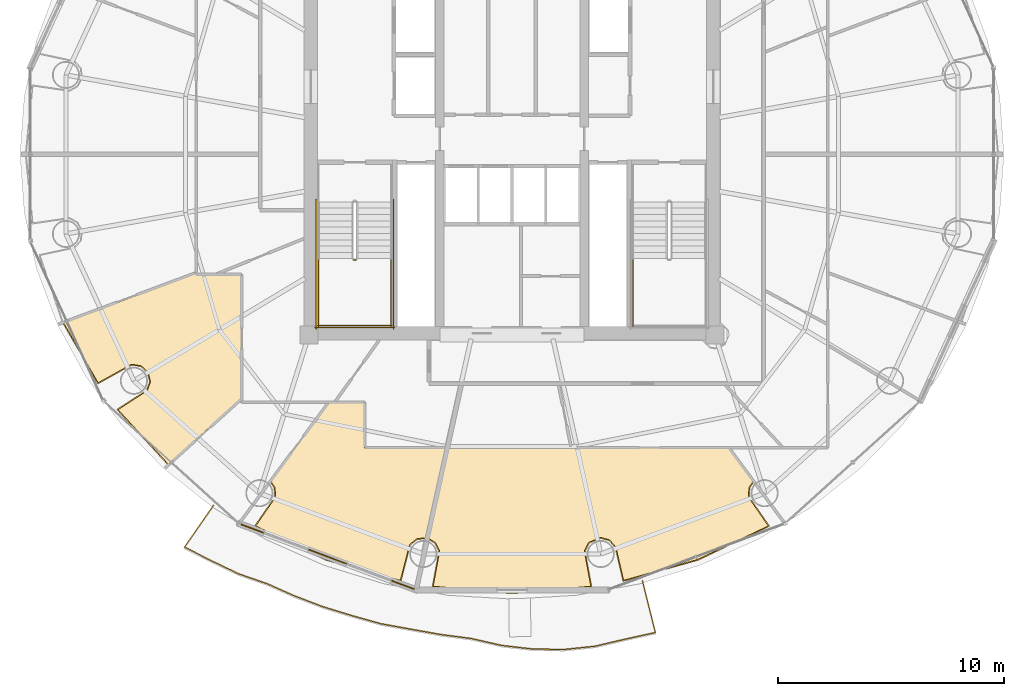
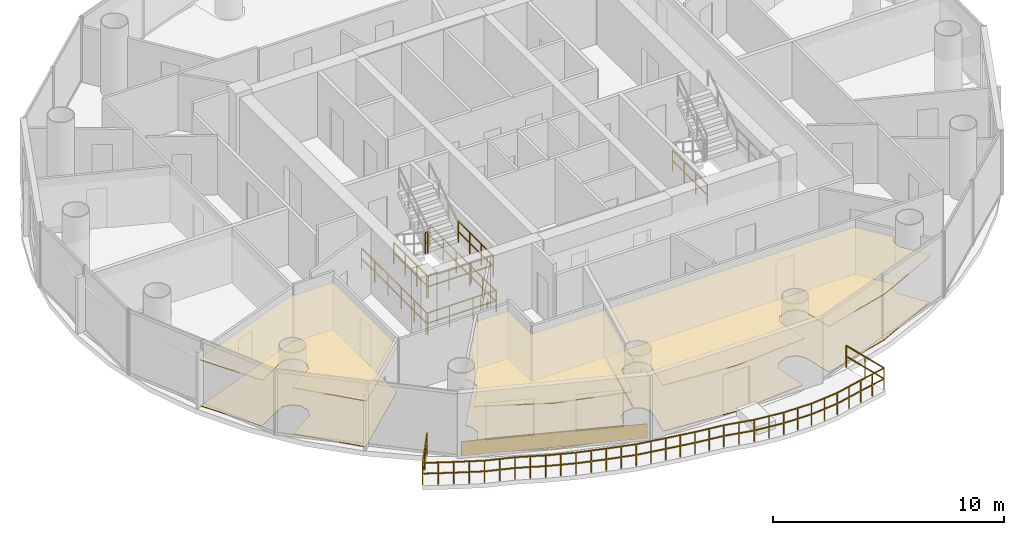
# One storey, part 24 of 26: 9 railings, 7 coverings.
"""IFC4 building model written with IfcOpenShell, lengths in metres."""

from ifc_helpers import new_model, si_unit, direction, frame, origin, origin_2d, place, context, subcontext, project, spatial, polyline, rectangle, outline, extrude, source, transform, mapped, material, layer, layer_set, type_object, element, save


model = new_model("IFC4")

# Units and contexts
model_context = context("Model", 3, precision=1e-05, world=origin(), true_north=direction((-0.2419218956, 0.970295726276)))
body_context = subcontext(model_context, "Body", "Model", "MODEL_VIEW")
ifc_project = project(units=[si_unit("LENGTHUNIT", "METRE"), si_unit("AREAUNIT", "SQUARE_METRE"), si_unit("VOLUMEUNIT", "CUBIC_METRE"), si_unit("PLANEANGLEUNIT", "RADIAN"), si_unit("MASSUNIT", "GRAM", prefix="KILO")], contexts=[model_context])

# Site, building, storey
site_placement = place(None, origin())
site = spatial("IfcSite", under=ifc_project, at=site_placement, CompositionType="ELEMENT")
building_placement = place(site_placement, origin())
building = spatial("IfcBuilding", under=site, at=building_placement, Name="Cobrevalo Terracotta Tower", CompositionType="ELEMENT")
storey_placement = place(building_placement, frame((0.0, 0.0, 217.10009765625)))
storey = spatial("IfcBuildingStorey", under=building, at=storey_placement, Name="L57", CompositionType="ELEMENT", Elevation=217.10009765625)

# Railing
ifc_material_1 = material(Name="Laminated structural glass and stainless steel", Category="steel")
railing_type_1 = type_object("IfcRailingType", Name="Balcony lobe structural glass & terracotta-cap balustrade 1180 mm", PredefinedType="BALUSTRADE", material=ifc_material_1)
railing_1_placement = place(storey_placement, frame((24.77294921875, 11.2509765625, 0.0)))
element("IfcRailing", 1, at=railing_1_placement, inside=storey, type_object=railing_type_1, Name="L57 spiralling balcony lobe balustrade 2", PredefinedType="BALUSTRADE", context=body_context, shape_type="SweptSolid", body=[
    extrude(rectangle(XDim=0.048095703125, YDim=0.048095703125, at=origin_2d()), frame((0.0, 0.0, 1.15576171875), z_axis=(-0.57077551687, -0.821106149862, 0.0), x_axis=(0.821106149862, -0.57077551687, 0.0)), (0.0, 0.0, 1.0), 2.2529296875),
    extrude(rectangle(XDim=0.048095703125, YDim=0.048095703125, at=origin_2d()), frame((0.0, 0.0, 0.58984375), z_axis=(-0.57077551687, -0.821106149862, 0.0), x_axis=(0.821106149862, -0.57077551687, 0.0)), (0.0, 0.0, 1.0), 2.2529296875),
    extrude(rectangle(XDim=0.048095703125, YDim=0.048095703125, at=origin_2d()), frame((-1.285888671875, -1.849853515625, 1.15576171875), z_axis=(0.891841006334, -0.452349001791, 0.0), x_axis=(0.452349001791, 0.891841006334, 0.0)), (0.0, 0.0, 1.0), 1.34814453125),
    extrude(rectangle(XDim=0.048095703125, YDim=0.048095703125, at=origin_2d()), frame((-1.285888671875, -1.849853515625, 0.58984375), z_axis=(0.891841006334, -0.452349001791, 0.0), x_axis=(0.452349001791, 0.891841006334, 0.0)), (0.0, 0.0, 1.0), 1.34814453125),
    extrude(rectangle(XDim=0.048095703125, YDim=0.048095703125, at=origin_2d()), frame((-0.08349609375, -2.459716796875, 1.15576171875), z_axis=(0.901505960091, -0.432766685318, 0.0), x_axis=(0.432766685318, 0.901505960091, 0.0)), (0.0, 0.0, 1.0), 1.3369140625),
    extrude(rectangle(XDim=0.048095703125, YDim=0.048095703125, at=origin_2d()), frame((-0.08349609375, -2.459716796875, 0.58984375), z_axis=(0.901505960091, -0.432766685318, 0.0), x_axis=(0.432766685318, 0.901505960091, 0.0)), (0.0, 0.0, 1.0), 1.3369140625),
    extrude(rectangle(XDim=0.048095703125, YDim=0.048095703125, at=origin_2d()), frame((1.121826171875, -3.038330078125, 1.15576171875), z_axis=(0.944932080508, -0.32726650184, 0.0), x_axis=(0.32726650184, 0.944932080508, 0.0)), (0.0, 0.0, 1.0), 1.34423828125),
    extrude(rectangle(XDim=0.048095703125, YDim=0.048095703125, at=origin_2d()), frame((1.121826171875, -3.038330078125, 0.58984375), z_axis=(0.944932080508, -0.32726650184, 0.0), x_axis=(0.32726650184, 0.944932080508, 0.0)), (0.0, 0.0, 1.0), 1.34423828125),
    extrude(rectangle(XDim=0.048095703125, YDim=0.048095703125, at=origin_2d()), frame((2.39208984375, -3.478271484375, 1.15576171875), z_axis=(0.913607419613, -0.406597445672, 0.0), x_axis=(0.406597445672, 0.913607419613, 0.0)), (0.0, 0.0, 1.0), 1.332275390625),
    extrude(rectangle(XDim=0.048095703125, YDim=0.048095703125, at=origin_2d()), frame((2.39208984375, -3.478271484375, 0.58984375), z_axis=(0.913607419613, -0.406597445672, 0.0), x_axis=(0.406597445672, 0.913607419613, 0.0)), (0.0, 0.0, 1.0), 1.332275390625),
    extrude(rectangle(XDim=0.048095703125, YDim=0.048095703125, at=origin_2d()), frame((3.609375, -4.02001953125, 1.15576171875), z_axis=(0.934930550332, -0.354830756918, 0.0), x_axis=(0.354830756918, 0.934930550332, 0.0)), (0.0, 0.0, 1.0), 1.334228515625),
    extrude(rectangle(XDim=0.048095703125, YDim=0.048095703125, at=origin_2d()), frame((3.609375, -4.02001953125, 0.58984375), z_axis=(0.934930550332, -0.354830756918, 0.0), x_axis=(0.354830756918, 0.934930550332, 0.0)), (0.0, 0.0, 1.0), 1.334228515625),
    extrude(rectangle(XDim=0.048095703125, YDim=0.048095703125, at=origin_2d()), frame((4.856689453125, -4.493408203125, 1.15576171875), z_axis=(0.955896967388, -0.293702209283, 0.0), x_axis=(0.293702209283, 0.955896967388, 0.0)), (0.0, 0.0, 1.0), 1.341552734375),
    extrude(rectangle(XDim=0.048095703125, YDim=0.048095703125, at=origin_2d()), frame((4.856689453125, -4.493408203125, 0.58984375), z_axis=(0.955896967388, -0.293702209283, 0.0), x_axis=(0.293702209283, 0.955896967388, 0.0)), (0.0, 0.0, 1.0), 1.341552734375),
    extrude(rectangle(XDim=0.048095703125, YDim=0.048095703125, at=origin_2d()), frame((6.13916015625, -4.887451171875, 1.15576171875), z_axis=(0.963067940608, -0.269258503622, 0.0), x_axis=(0.269258503622, 0.963067940608, 0.0)), (0.0, 0.0, 1.0), 1.341064453125),
    extrude(rectangle(XDim=0.048095703125, YDim=0.048095703125, at=origin_2d()), frame((6.13916015625, -4.887451171875, 0.58984375), z_axis=(0.963067940608, -0.269258503622, 0.0), x_axis=(0.269258503622, 0.963067940608, 0.0)), (0.0, 0.0, 1.0), 1.341064453125),
    extrude(rectangle(XDim=0.048095703125, YDim=0.048095703125, at=origin_2d()), frame((7.4306640625, -5.24853515625, 1.15576171875), z_axis=(0.983985636985, -0.178247766346, 0.0), x_axis=(0.178247766346, 0.983985636985, 0.0)), (0.0, 0.0, 1.0), 1.34765625),
    extrude(rectangle(XDim=0.048095703125, YDim=0.048095703125, at=origin_2d()), frame((7.4306640625, -5.24853515625, 0.58984375), z_axis=(0.983985636985, -0.178247766346, 0.0), x_axis=(0.178247766346, 0.983985636985, 0.0)), (0.0, 0.0, 1.0), 1.34765625),
    extrude(rectangle(XDim=0.048095703125, YDim=0.048095703125, at=origin_2d()), frame((8.7568359375, -5.48876953125, 1.15576171875), z_axis=(0.984600641442, -0.174818697147, 0.0), x_axis=(0.174818697147, 0.984600641442, 0.0)), (0.0, 0.0, 1.0), 1.34765625),
    extrude(rectangle(XDim=0.048095703125, YDim=0.048095703125, at=origin_2d()), frame((8.7568359375, -5.48876953125, 0.58984375), z_axis=(0.984600641442, -0.174818697147, 0.0), x_axis=(0.174818697147, 0.984600641442, 0.0)), (0.0, 0.0, 1.0), 1.34765625),
    extrude(rectangle(XDim=0.048095703125, YDim=0.048095703125, at=origin_2d()), frame((10.083740234375, -5.724365234375, 1.15576171875), z_axis=(0.991544969389, -0.129763529849, 0.0), x_axis=(0.129763529849, 0.991544969389, 0.0)), (0.0, 0.0, 1.0), 1.352783203125),
    extrude(rectangle(XDim=0.048095703125, YDim=0.048095703125, at=origin_2d()), frame((10.083740234375, -5.724365234375, 0.58984375), z_axis=(0.991544969389, -0.129763529849, 0.0), x_axis=(0.129763529849, 0.991544969389, 0.0)), (0.0, 0.0, 1.0), 1.352783203125),
    extrude(rectangle(XDim=0.048095703125, YDim=0.048095703125, at=origin_2d()), frame((11.425048828125, -5.89990234375, 1.15576171875), z_axis=(0.975014859244, -0.222139650342, 0.0), x_axis=(0.222139650342, 0.975014859244, 0.0)), (0.0, 0.0, 1.0), 1.3837890625),
    extrude(rectangle(XDim=0.048095703125, YDim=0.048095703125, at=origin_2d()), frame((11.425048828125, -5.89990234375, 0.58984375), z_axis=(0.975014859244, -0.222139650342, 0.0), x_axis=(0.222139650342, 0.975014859244, 0.0)), (0.0, 0.0, 1.0), 1.3837890625),
    extrude(rectangle(XDim=0.048095703125, YDim=0.048095703125, at=origin_2d()), frame((12.774169921875, -6.207275390625, 1.15576171875), z_axis=(0.993451469807, -0.114254877959, 0.0), x_axis=(0.114254877959, 0.993451469807, 0.0)), (0.0, 0.0, 1.0), 1.38037109375),
    extrude(rectangle(XDim=0.048095703125, YDim=0.048095703125, at=origin_2d()), frame((12.774169921875, -6.207275390625, 0.58984375), z_axis=(0.993451469807, -0.114254877959, 0.0), x_axis=(0.114254877959, 0.993451469807, 0.0)), (0.0, 0.0, 1.0), 1.38037109375),
    extrude(rectangle(XDim=0.048095703125, YDim=0.048095703125, at=origin_2d()), frame((14.1455078125, -6.364990234375, 1.15576171875), z_axis=(0.99987945467, -0.015526626436, 0.0), x_axis=(0.015526626436, 0.99987945467, 0.0)), (0.0, 0.0, 1.0), 1.3837890625),
    extrude(rectangle(XDim=0.048095703125, YDim=0.048095703125, at=origin_2d()), frame((14.1455078125, -6.364990234375, 0.58984375), z_axis=(0.99987945467, -0.015526626436, 0.0), x_axis=(0.015526626436, 0.99987945467, 0.0)), (0.0, 0.0, 1.0), 1.3837890625),
    extrude(rectangle(XDim=0.048095703125, YDim=0.048095703125, at=origin_2d()), frame((15.529052734375, -6.386474609375, 1.15576171875), z_axis=(0.994512240733, 0.104620280219, 0.0), x_axis=(-0.104620280219, 0.994512240733, 0.0)), (0.0, 0.0, 1.0), 1.379150390625),
    extrude(rectangle(XDim=0.048095703125, YDim=0.048095703125, at=origin_2d()), frame((15.529052734375, -6.386474609375, 0.58984375), z_axis=(0.994512240733, 0.104620280219, 0.0), x_axis=(-0.104620280219, 0.994512240733, 0.0)), (0.0, 0.0, 1.0), 1.379150390625),
    extrude(rectangle(XDim=0.048095703125, YDim=0.048095703125, at=origin_2d()), frame((16.900634765625, -6.2421875, 1.15576171875), z_axis=(0.973537658475, 0.228526645122, 0.0), x_axis=(-0.228526645122, 0.973537658475, 0.0)), (0.0, 0.0, 1.0), 1.38037109375),
    extrude(rectangle(XDim=0.048095703125, YDim=0.048095703125, at=origin_2d()), frame((16.900634765625, -6.2421875, 0.58984375), z_axis=(0.973537658475, 0.228526645122, 0.0), x_axis=(-0.228526645122, 0.973537658475, 0.0)), (0.0, 0.0, 1.0), 1.38037109375),
    extrude(rectangle(XDim=0.048095703125, YDim=0.048095703125, at=origin_2d()), frame((18.244384765625, -5.9267578125, 1.15576171875), z_axis=(0.976847781317, 0.213935532664, 0.0), x_axis=(-0.213935532664, 0.976847781317, 0.0)), (0.0, 0.0, 1.0), 1.372802734375),
    extrude(rectangle(XDim=0.048095703125, YDim=0.048095703125, at=origin_2d()), frame((18.244384765625, -5.9267578125, 0.58984375), z_axis=(0.976847781317, 0.213935532664, 0.0), x_axis=(-0.213935532664, 0.976847781317, 0.0)), (0.0, 0.0, 1.0), 1.372802734375),
    extrude(rectangle(XDim=0.048095703125, YDim=0.048095703125, at=origin_2d()), frame((19.58544921875, -5.633056640625, 1.15576171875), z_axis=(-0.242803147392, 0.970075580363, 0.0), x_axis=(-0.970075580363, -0.242803147392, 0.0)), (0.0, 0.0, 1.0), 2.362060546875),
    extrude(rectangle(XDim=0.048095703125, YDim=0.048095703125, at=origin_2d()), frame((19.58544921875, -5.633056640625, 0.58984375), z_axis=(-0.242803147392, 0.970075580363, 0.0), x_axis=(-0.970075580363, -0.242803147392, 0.0)), (0.0, 0.0, 1.0), 2.362060546875),
    extrude(rectangle(XDim=0.0419921875, YDim=0.0419921875, at=origin_2d()), origin(), (0.0, 0.0, 1.0), 1.1318359375),
    extrude(rectangle(XDim=0.0419921875, YDim=0.0419921875, at=origin_2d()), frame((-0.64306640625, -0.9248046875, 0.0)), (0.0, 0.0, 1.0), 1.1318359375),
    extrude(rectangle(XDim=0.0419921875, YDim=0.0419921875, at=origin_2d()), frame((-1.285888671875, -1.849853515625, 0.0)), (0.0, 0.0, 1.0), 1.1318359375),
    extrude(rectangle(XDim=0.0419921875, YDim=0.0419921875, at=origin_2d()), frame((-0.6845703125, -2.15478515625, 0.0)), (0.0, 0.0, 1.0), 1.1318359375),
    extrude(rectangle(XDim=0.0419921875, YDim=0.0419921875, at=origin_2d()), frame((-0.08349609375, -2.459716796875, 0.0)), (0.0, 0.0, 1.0), 1.1318359375),
    extrude(rectangle(XDim=0.0419921875, YDim=0.0419921875, at=origin_2d()), frame((0.51904296875, -2.7490234375, 0.0)), (0.0, 0.0, 1.0), 1.1318359375),
    extrude(rectangle(XDim=0.0419921875, YDim=0.0419921875, at=origin_2d()), frame((1.121826171875, -3.038330078125, 0.0)), (0.0, 0.0, 1.0), 1.1318359375),
    extrude(rectangle(XDim=0.0419921875, YDim=0.0419921875, at=origin_2d()), frame((1.7568359375, -3.25830078125, 0.0)), (0.0, 0.0, 1.0), 1.1318359375),
    extrude(rectangle(XDim=0.0419921875, YDim=0.0419921875, at=origin_2d()), frame((2.39208984375, -3.478271484375, 0.0)), (0.0, 0.0, 1.0), 1.1318359375),
    extrude(rectangle(XDim=0.0419921875, YDim=0.0419921875, at=origin_2d()), frame((3.000732421875, -3.7490234375, 0.0)), (0.0, 0.0, 1.0), 1.1318359375),
    extrude(rectangle(XDim=0.0419921875, YDim=0.0419921875, at=origin_2d()), frame((3.609375, -4.02001953125, 0.0)), (0.0, 0.0, 1.0), 1.1318359375),
    extrude(rectangle(XDim=0.0419921875, YDim=0.0419921875, at=origin_2d()), frame((4.23291015625, -4.2568359375, 0.0)), (0.0, 0.0, 1.0), 1.1318359375),
    extrude(rectangle(XDim=0.0419921875, YDim=0.0419921875, at=origin_2d()), frame((4.856689453125, -4.493408203125, 0.0)), (0.0, 0.0, 1.0), 1.1318359375),
    extrude(rectangle(XDim=0.0419921875, YDim=0.0419921875, at=origin_2d()), frame((5.498046875, -4.6904296875, 0.0)), (0.0, 0.0, 1.0), 1.1318359375),
    extrude(rectangle(XDim=0.0419921875, YDim=0.0419921875, at=origin_2d()), frame((6.13916015625, -4.887451171875, 0.0)), (0.0, 0.0, 1.0), 1.1318359375),
    extrude(rectangle(XDim=0.0419921875, YDim=0.0419921875, at=origin_2d()), frame((6.784912109375, -5.06787109375, 0.0)), (0.0, 0.0, 1.0), 1.1318359375),
    extrude(rectangle(XDim=0.0419921875, YDim=0.0419921875, at=origin_2d()), frame((7.4306640625, -5.24853515625, 0.0)), (0.0, 0.0, 1.0), 1.1318359375),
    extrude(rectangle(XDim=0.0419921875, YDim=0.0419921875, at=origin_2d()), frame((8.09375, -5.36865234375, 0.0)), (0.0, 0.0, 1.0), 1.1318359375),
    extrude(rectangle(XDim=0.0419921875, YDim=0.0419921875, at=origin_2d()), frame((8.7568359375, -5.48876953125, 0.0)), (0.0, 0.0, 1.0), 1.1318359375),
    extrude(rectangle(XDim=0.0419921875, YDim=0.0419921875, at=origin_2d()), frame((9.42041015625, -5.6064453125, 0.0)), (0.0, 0.0, 1.0), 1.1318359375),
    extrude(rectangle(XDim=0.0419921875, YDim=0.0419921875, at=origin_2d()), frame((10.083740234375, -5.724365234375, 0.0)), (0.0, 0.0, 1.0), 1.1318359375),
    extrude(rectangle(XDim=0.0419921875, YDim=0.0419921875, at=origin_2d()), frame((10.75439453125, -5.81201171875, 0.0)), (0.0, 0.0, 1.0), 1.1318359375),
    extrude(rectangle(XDim=0.0419921875, YDim=0.0419921875, at=origin_2d()), frame((11.425048828125, -5.89990234375, 0.0)), (0.0, 0.0, 1.0), 1.1318359375),
    extrude(rectangle(XDim=0.0419921875, YDim=0.0419921875, at=origin_2d()), frame((12.099609375, -6.0537109375, 0.0)), (0.0, 0.0, 1.0), 1.1318359375),
    extrude(rectangle(XDim=0.0419921875, YDim=0.0419921875, at=origin_2d()), frame((12.774169921875, -6.207275390625, 0.0)), (0.0, 0.0, 1.0), 1.1318359375),
    extrude(rectangle(XDim=0.0419921875, YDim=0.0419921875, at=origin_2d()), frame((13.4599609375, -6.2861328125, 0.0)), (0.0, 0.0, 1.0), 1.1318359375),
    extrude(rectangle(XDim=0.0419921875, YDim=0.0419921875, at=origin_2d()), frame((14.1455078125, -6.364990234375, 0.0)), (0.0, 0.0, 1.0), 1.1318359375),
    extrude(rectangle(XDim=0.0419921875, YDim=0.0419921875, at=origin_2d()), frame((14.83740234375, -6.375732421875, 0.0)), (0.0, 0.0, 1.0), 1.1318359375),
    extrude(rectangle(XDim=0.0419921875, YDim=0.0419921875, at=origin_2d()), frame((15.529052734375, -6.386474609375, 0.0)), (0.0, 0.0, 1.0), 1.1318359375),
    extrude(rectangle(XDim=0.0419921875, YDim=0.0419921875, at=origin_2d()), frame((16.21484375, -6.314453125, 0.0)), (0.0, 0.0, 1.0), 1.1318359375),
    extrude(rectangle(XDim=0.0419921875, YDim=0.0419921875, at=origin_2d()), frame((16.900634765625, -6.2421875, 0.0)), (0.0, 0.0, 1.0), 1.1318359375),
    extrude(rectangle(XDim=0.0419921875, YDim=0.0419921875, at=origin_2d()), frame((17.572509765625, -6.08447265625, 0.0)), (0.0, 0.0, 1.0), 1.1318359375),
    extrude(rectangle(XDim=0.0419921875, YDim=0.0419921875, at=origin_2d()), frame((18.244384765625, -5.9267578125, 0.0)), (0.0, 0.0, 1.0), 1.1318359375),
    extrude(rectangle(XDim=0.0419921875, YDim=0.0419921875, at=origin_2d()), frame((18.9150390625, -5.77978515625, 0.0)), (0.0, 0.0, 1.0), 1.1318359375),
    extrude(rectangle(XDim=0.0419921875, YDim=0.0419921875, at=origin_2d()), frame((19.58544921875, -5.633056640625, 0.0)), (0.0, 0.0, 1.0), 1.1318359375),
    extrude(rectangle(XDim=0.0419921875, YDim=0.0419921875, at=origin_2d()), frame((19.298828125, -4.4873046875, 0.0)), (0.0, 0.0, 1.0), 1.1318359375),
    extrude(rectangle(XDim=0.0419921875, YDim=0.0419921875, at=origin_2d()), frame((19.011962890625, -3.341796875, 0.0)), (0.0, 0.0, 1.0), 1.1318359375),
])

# Coverings
ifc_material_2 = material(Name="Engineered Brazilian hardwood flooring", Category="wood")
ifc_layer_1 = layer(ifc_material_2, 0.028076171875)
ifc_layer_set_1 = layer_set([ifc_layer_1], Name="Engineered Brazilian hardwood flooring")
covering_type_1 = type_object("IfcCoveringType", Name="Engineered Hardwood Suite Flooring 28", PredefinedType="FLOORING", material=ifc_layer_set_1)
covering_1_placement = place(storey_placement, origin())
element("IfcCovering", 2, at=covering_1_placement, inside=storey, type_object=covering_type_1, Name="Flat L57C Master Bedroom floor finish", PredefinedType="FLOORING", context=body_context, shape_type="SweptSolid", body=[
    extrude(outline(polyline([(22.779052734375, 13.072265625), (20.546875, 15.4912109375), (21.840087890625, 16.330810546875), (21.985107421875, 16.735107421875), (21.880859375, 17.152099609375), (21.562744140625, 17.44091796875), (21.1376953125, 17.504150390625), (19.662109375, 16.6865234375), (18.132568359375, 19.342041015625), (23.985107421875, 21.53271484375), (25.9951171875, 21.4599609375), (25.9951171875, 15.978515625), (22.779052734375, 13.072265625)])), origin(), (0.0, 0.0, 1.0), 0.02978515625),
])
covering_2_placement = place(storey_placement, origin())
element("IfcCovering", 3, at=covering_2_placement, inside=storey, type_object=covering_type_1, Name="Flat L57C Principal Guest Bedroom floor finish", PredefinedType="FLOORING", context=body_context, shape_type="SweptSolid", body=[
    extrude(outline(polyline([(26.6455078125, 10.34033203125), (27.522705078125, 11.610107421875), (27.502685546875, 12.039306640625), (27.318603515625, 12.320556640625), (29.8876953125, 15.794921875), (31.4599609375, 15.794921875), (31.4599609375, 13.784912109375), (35.11474609375, 13.784912109375), (34.240234375, 9.812255859375), (33.801025390625, 9.78662109375), (33.462890625, 9.521484375), (33.0517578125, 7.93017578125), (29.763916015625, 8.858642578125), (26.6455078125, 10.34033203125)])), origin(), (0.0, 0.0, 1.0), 0.02978515625),
])
covering_3_placement = place(storey_placement, origin())
element("IfcCovering", 4, at=covering_3_placement, inside=storey, type_object=covering_type_1, Name="Flat L57D Living and Dining Room floor finish", PredefinedType="FLOORING", context=body_context, shape_type="SweptSolid", body=[
    extrude(outline(polyline([(46.236083984375, 8.858642578125), (42.9482421875, 7.93017578125), (42.6083984375, 9.39501953125), (42.32861328125, 9.72119140625), (41.91455078125, 9.836669921875), (41.396240234375, 9.6083984375), (41.2021484375, 9.22509765625), (41.490234375, 7.66845703125), (38.0, 7.380126953125), (34.509765625, 7.66845703125), (34.7978515625, 9.22509765625), (34.603759765625, 9.6083984375), (34.279052734375, 9.802978515625), (35.15576171875, 13.784912109375), (47.598388671875, 13.784912109375), (48.681396484375, 12.320556640625), (48.497314453125, 12.039306640625), (48.477294921875, 11.610107421875), (49.3544921875, 10.34033203125), (46.236083984375, 8.858642578125)])), origin(), (0.0, 0.0, 1.0), 0.02978515625),
])
ifc_material_3 = material(Name="Acoustic perforated gypsum ceiling", Category="gypsum")
ifc_layer_2 = layer(ifc_material_3, 0.050048828125)
ifc_layer_set_2 = layer_set([ifc_layer_2], Name="Acoustic perforated gypsum ceiling")
covering_type_2 = type_object("IfcCoveringType", Name="Perforated Acoustic Gypsum Ceiling 50", PredefinedType="CEILING", material=ifc_layer_set_2)
covering_4_placement = place(storey_placement, frame((0.0, 0.0, 2.44482421875)))
element("IfcCovering", 5, at=covering_4_placement, inside=storey, type_object=covering_type_2, Name="Flat L57C Master Bedroom acoustic ceiling", PredefinedType="CEILING", context=body_context, shape_type="SweptSolid", body=[
    extrude(outline(polyline([(22.77685546875, 13.009765625), (20.481201171875, 15.50439453125), (21.8037109375, 16.357666015625), (21.93994140625, 16.737548828125), (21.842041015625, 17.12890625), (21.54345703125, 17.39990234375), (21.144287109375, 17.45947265625), (19.650146484375, 16.626953125), (18.068115234375, 19.365966796875), (24.030029296875, 21.59765625), (24.030029296875, 21.5048828125), (26.0400390625, 21.5048828125), (26.0400390625, 15.95849609375), (22.77685546875, 13.009765625)])), origin(), (0.0, 0.0, 1.0), 0.050048828125),
])
covering_5_placement = place(storey_placement, frame((0.0, 0.0, 2.44482421875)))
element("IfcCovering", 6, at=covering_5_placement, inside=storey, type_object=covering_type_2, Name="Flat L57C Principal Guest Bedroom acoustic ceiling", PredefinedType="CEILING", context=body_context, shape_type="SweptSolid", body=[
    extrude(outline(polyline([(26.579833984375, 10.327392578125), (27.478759765625, 11.621337890625), (27.460205078125, 12.024169921875), (27.25830078125, 12.314697265625), (29.864990234375, 15.840087890625), (31.5048828125, 15.840087890625), (31.5048828125, 13.830078125), (35.170654296875, 13.830078125), (34.275146484375, 9.76123046875), (33.8173828125, 9.74462890625), (33.499755859375, 9.49560546875), (33.08642578125, 7.878173828125), (29.748291015625, 8.81640625), (26.579833984375, 10.327392578125)])), origin(), (0.0, 0.0, 1.0), 0.050048828125),
])
covering_6_placement = place(storey_placement, frame((0.0, 0.0, 2.44482421875)))
element("IfcCovering", 7, at=covering_6_placement, inside=storey, type_object=covering_type_2, Name="Flat L57D Living and Dining Room acoustic ceiling", PredefinedType="CEILING", context=body_context, shape_type="SweptSolid", body=[
    extrude(outline(polyline([(46.251708984375, 8.81640625), (42.91357421875, 7.878173828125), (42.56689453125, 9.376953125), (42.30419921875, 9.68310546875), (41.915771484375, 9.79150390625), (41.428955078125, 9.5771484375), (41.246826171875, 9.21728515625), (41.544189453125, 7.632568359375), (38.0, 7.3349609375), (34.455810546875, 7.632568359375), (34.753173828125, 9.21728515625), (34.571044921875, 9.5771484375), (34.2265625, 9.77294921875), (35.119384765625, 13.830078125), (47.62109375, 13.830078125), (48.74169921875, 12.314697265625), (48.539794921875, 12.024169921875), (48.521240234375, 11.621337890625), (49.420166015625, 10.327392578125), (46.251708984375, 8.81640625)])), origin(), (0.0, 0.0, 1.0), 0.050048828125),
])

# Railings
ifc_material_4 = material(Name="Painted galvanized steel", Category="steel")
railing_type_2 = type_object("IfcRailingType", Name="Stair Well Guard Balustrade 1150", PredefinedType="GUARDRAIL", material=ifc_material_4)
railing_2_placement = place(storey_placement, frame((30.97509765625, 22.1298828125, 1.849853515625)))
element("IfcRailing", 8, at=railing_2_placement, inside=storey, type_object=railing_type_2, Name="L57 ST-1 stair guard 2", PredefinedType="GUARDRAIL", context=body_context, shape_type="SweptSolid", body=[
    extrude(rectangle(XDim=0.048095703125, YDim=0.048095703125, at=origin_2d()), frame((0.0, 0.0, 1.1259765625), z_axis=(1.0, 0.0, 0.0), x_axis=(0.0, 1.0, 0.0)), (0.0, 0.0, 1.0), 0.119873046875),
    extrude(rectangle(XDim=0.048095703125, YDim=0.048095703125, at=origin_2d()), frame((0.0, 0.0, 0.574951171875), z_axis=(1.0, 0.0, 0.0), x_axis=(0.0, 1.0, 0.0)), (0.0, 0.0, 1.0), 0.119873046875),
    extrude(rectangle(XDim=0.0419921875, YDim=0.0419921875, at=origin_2d()), origin(), (0.0, 0.0, 1.0), 1.101806640625),
    extrude(rectangle(XDim=0.0419921875, YDim=0.0419921875, at=origin_2d()), frame((0.119873046875, 0.0, 0.0)), (0.0, 0.0, 1.0), 1.101806640625),
])
for number, where, name in (
    (9, (29.425048828125, 22.179931640625, 1.849853515625), "L57 ST-1 stair guard 3"),
    (10, (32.64501953125, 22.179931640625, 1.849853515625), "L57 ST-1 stair guard 4"),
):
    element("IfcRailing", number, at=place(storey_placement, frame(where)), inside=storey, type_object=railing_type_2, Name=name, PredefinedType="GUARDRAIL", context=body_context, shape_type="SweptSolid", body=[
        extrude(rectangle(XDim=0.048095703125, YDim=0.048095703125, at=origin_2d()), frame((0.0, 0.0, 1.1259765625), z_axis=(0.0, -1.0, 0.0), x_axis=(1.0, 0.0, 0.0)), (0.0, 0.0, 1.0), 3.0048828125),
        extrude(rectangle(XDim=0.048095703125, YDim=0.048095703125, at=origin_2d()), frame((0.0, 0.0, 0.574951171875), z_axis=(0.0, -1.0, 0.0), x_axis=(1.0, 0.0, 0.0)), (0.0, 0.0, 1.0), 3.0048828125),
        extrude(rectangle(XDim=0.0419921875, YDim=0.0419921875, at=origin_2d()), origin(), (0.0, 0.0, 1.0), 1.101806640625),
        extrude(rectangle(XDim=0.0419921875, YDim=0.0419921875, at=origin_2d()), frame((0.0, -1.001708984375, 0.0)), (0.0, 0.0, 1.0), 1.101806640625),
        extrude(rectangle(XDim=0.0419921875, YDim=0.0419921875, at=origin_2d()), frame((0.0, -2.003173828125, 0.0)), (0.0, 0.0, 1.0), 1.101806640625),
        extrude(rectangle(XDim=0.0419921875, YDim=0.0419921875, at=origin_2d()), frame((0.0, -3.0048828125, 0.0)), (0.0, 0.0, 1.0), 1.101806640625),
    ])
railing_3_placement = place(storey_placement, frame((29.375, 19.22509765625, 1.849853515625)))
element("IfcRailing", 11, at=railing_3_placement, inside=storey, type_object=railing_type_2, Name="L57 ST-1 stair guard 5", PredefinedType="GUARDRAIL", context=body_context, shape_type="SweptSolid", body=[
    extrude(rectangle(XDim=0.048095703125, YDim=0.048095703125, at=origin_2d()), frame((0.0, 0.0, 1.1259765625), z_axis=(1.0, 0.0, 0.0), x_axis=(0.0, 1.0, 0.0)), (0.0, 0.0, 1.0), 3.320068359375),
    extrude(rectangle(XDim=0.048095703125, YDim=0.048095703125, at=origin_2d()), frame((0.0, 0.0, 0.574951171875), z_axis=(1.0, 0.0, 0.0), x_axis=(0.0, 1.0, 0.0)), (0.0, 0.0, 1.0), 3.320068359375),
    extrude(rectangle(XDim=0.0419921875, YDim=0.0419921875, at=origin_2d()), origin(), (0.0, 0.0, 1.0), 1.101806640625),
    extrude(rectangle(XDim=0.0419921875, YDim=0.0419921875, at=origin_2d()), frame((1.106689453125, 0.0, 0.0)), (0.0, 0.0, 1.0), 1.101806640625),
    extrude(rectangle(XDim=0.0419921875, YDim=0.0419921875, at=origin_2d()), frame((2.21337890625, 0.0, 0.0)), (0.0, 0.0, 1.0), 1.101806640625),
    extrude(rectangle(XDim=0.0419921875, YDim=0.0419921875, at=origin_2d()), frame((3.320068359375, 0.0, 0.0)), (0.0, 0.0, 1.0), 1.101806640625),
])
for number, where, name in (
    (12, (29.324951171875, 24.800048828125, 0.0), "L57 ST-1 stair guard 10"),
    (13, (32.7451171875, 24.800048828125, 0.0), "L57 ST-1 stair guard 11"),
):
    element("IfcRailing", number, at=place(storey_placement, frame(where)), inside=storey, type_object=railing_type_2, Name=name, PredefinedType="GUARDRAIL", context=body_context, shape_type="SweptSolid", body=[
        extrude(rectangle(XDim=0.048095703125, YDim=0.048095703125, at=origin_2d()), frame((0.0, 0.0, 1.1259765625), z_axis=(0.0, -1.0, 0.0), x_axis=(1.0, 0.0, 0.0)), (0.0, 0.0, 1.0), 5.72509765625),
        extrude(rectangle(XDim=0.048095703125, YDim=0.048095703125, at=origin_2d()), frame((0.0, 0.0, 0.574951171875), z_axis=(0.0, -1.0, 0.0), x_axis=(1.0, 0.0, 0.0)), (0.0, 0.0, 1.0), 5.72509765625),
        extrude(rectangle(XDim=0.0419921875, YDim=0.0419921875, at=origin_2d()), origin(), (0.0, 0.0, 1.0), 1.101806640625),
        extrude(rectangle(XDim=0.0419921875, YDim=0.0419921875, at=origin_2d()), frame((0.0, -1.14501953125, 0.0)), (0.0, 0.0, 1.0), 1.101806640625),
        extrude(rectangle(XDim=0.0419921875, YDim=0.0419921875, at=origin_2d()), frame((0.0, -2.2900390625, 0.0)), (0.0, 0.0, 1.0), 1.101806640625),
        extrude(rectangle(XDim=0.0419921875, YDim=0.0419921875, at=origin_2d()), frame((0.0, -3.43505859375, 0.0)), (0.0, 0.0, 1.0), 1.101806640625),
        extrude(rectangle(XDim=0.0419921875, YDim=0.0419921875, at=origin_2d()), frame((0.0, -4.580078125, 0.0)), (0.0, 0.0, 1.0), 1.101806640625),
        extrude(rectangle(XDim=0.0419921875, YDim=0.0419921875, at=origin_2d()), frame((0.0, -5.72509765625, 0.0)), (0.0, 0.0, 1.0), 1.101806640625),
    ])
railing_4_placement = place(storey_placement, frame((29.27490234375, 19.125, 0.0)))
element("IfcRailing", 14, at=railing_4_placement, inside=storey, type_object=railing_type_2, Name="L57 ST-1 stair guard 12", PredefinedType="GUARDRAIL", context=body_context, shape_type="SweptSolid", body=[
    extrude(rectangle(XDim=0.048095703125, YDim=0.048095703125, at=origin_2d()), frame((0.0, 0.0, 1.1259765625), z_axis=(1.0, 0.0, 0.0), x_axis=(0.0, 1.0, 0.0)), (0.0, 0.0, 1.0), 3.52001953125),
    extrude(rectangle(XDim=0.048095703125, YDim=0.048095703125, at=origin_2d()), frame((0.0, 0.0, 0.574951171875), z_axis=(1.0, 0.0, 0.0), x_axis=(0.0, 1.0, 0.0)), (0.0, 0.0, 1.0), 3.52001953125),
    extrude(rectangle(XDim=0.0419921875, YDim=0.0419921875, at=origin_2d()), origin(), (0.0, 0.0, 1.0), 1.101806640625),
    extrude(rectangle(XDim=0.0419921875, YDim=0.0419921875, at=origin_2d()), frame((1.17333984375, 0.0, 0.0)), (0.0, 0.0, 1.0), 1.101806640625),
    extrude(rectangle(XDim=0.0419921875, YDim=0.0419921875, at=origin_2d()), frame((2.3466796875, 0.0, 0.0)), (0.0, 0.0, 1.0), 1.101806640625),
    extrude(rectangle(XDim=0.0419921875, YDim=0.0419921875, at=origin_2d()), frame((3.52001953125, 0.0, 0.0)), (0.0, 0.0, 1.0), 1.101806640625),
])
railing_5_placement = place(storey_placement, frame((43.35498046875, 22.179931640625, 1.849853515625)))
element("IfcRailing", 15, at=railing_5_placement, inside=storey, type_object=railing_type_2, Name="L57 ST-2 stair guard 3", PredefinedType="GUARDRAIL", context=body_context, shape_type="SweptSolid", body=[
    extrude(rectangle(XDim=0.048095703125, YDim=0.048095703125, at=origin_2d()), frame((0.0, 0.0, 1.1259765625), z_axis=(0.0, -1.0, 0.0), x_axis=(1.0, 0.0, 0.0)), (0.0, 0.0, 1.0), 3.0048828125),
    extrude(rectangle(XDim=0.048095703125, YDim=0.048095703125, at=origin_2d()), frame((0.0, 0.0, 0.574951171875), z_axis=(0.0, -1.0, 0.0), x_axis=(1.0, 0.0, 0.0)), (0.0, 0.0, 1.0), 3.0048828125),
    extrude(rectangle(XDim=0.0419921875, YDim=0.0419921875, at=origin_2d()), origin(), (0.0, 0.0, 1.0), 1.101806640625),
    extrude(rectangle(XDim=0.0419921875, YDim=0.0419921875, at=origin_2d()), frame((0.0, -1.001708984375, 0.0)), (0.0, 0.0, 1.0), 1.101806640625),
    extrude(rectangle(XDim=0.0419921875, YDim=0.0419921875, at=origin_2d()), frame((0.0, -2.003173828125, 0.0)), (0.0, 0.0, 1.0), 1.101806640625),
    extrude(rectangle(XDim=0.0419921875, YDim=0.0419921875, at=origin_2d()), frame((0.0, -3.0048828125, 0.0)), (0.0, 0.0, 1.0), 1.101806640625),
])

# Covering
ifc_material_5 = material(Name="Glazed terracotta facade cladding tile", Category="masonry")
ifc_layer_3 = layer(ifc_material_5, 0.044921875)
ifc_layer_set_3 = layer_set([ifc_layer_3], Name="Glazed terracotta facade cladding tile")
covering_type_3 = type_object("IfcCoveringType", Name="Architectural terracotta rainscreen spandrel cladding 45 mm", PredefinedType="CLADDING", material=ifc_layer_set_3)
shared_shape = source(origin(), body_context, "Body", "SweptSolid", [
    extrude(rectangle(XDim=8.17919921875, YDim=0.044921875, at=origin_2d()), origin(), (0.0, 0.0, 1.0), 0.760009765625),
])
covering_7_placement = place(storey_placement, frame((29.8291015625, 8.9765625, 0.0400390625), z_axis=(0.0, 0.0, 1.0), x_axis=(0.936557839879, -0.350513070458, 0.0)))
element("IfcCovering", 16, at=covering_7_placement, inside=storey, type_object=covering_type_3, Name="L57 terracotta spandrel cladding S11", PredefinedType="CLADDING", context=body_context, shape_type="MappedRepresentation", body=[
    mapped(shared_shape, transform((0.0, 0.0, 0.0), scale=1.0)),
])

save(model, "model.ifc")
